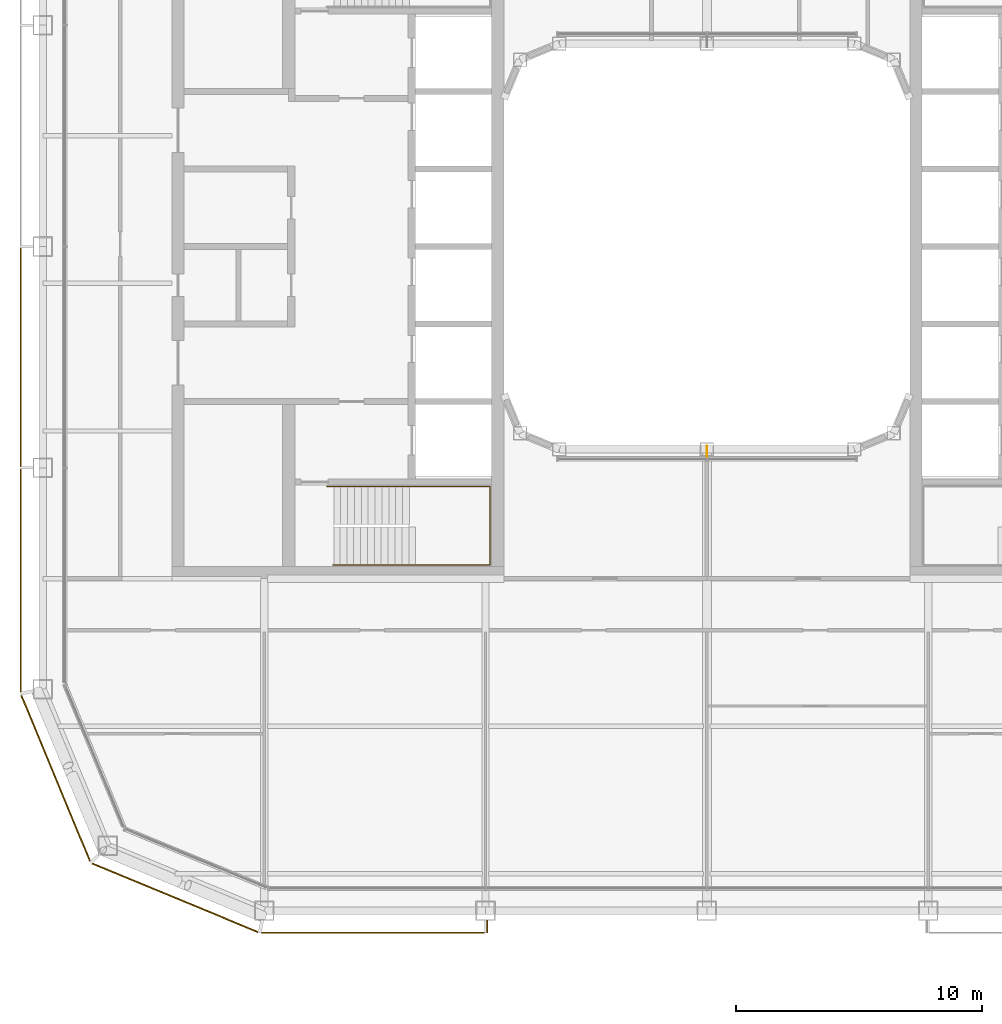
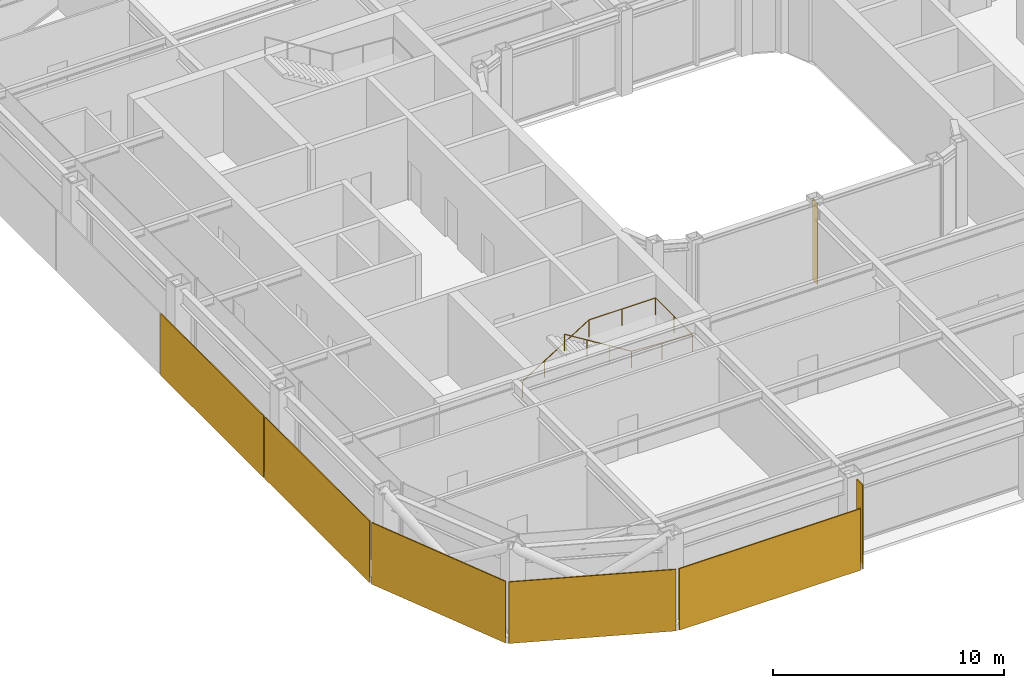
# One storey, part 19 of 23: 6 coverings, 1 railing, 1 shading device.
"""IFC4 building model written with IfcOpenShell, lengths in metres."""

from ifc_helpers import new_model, si_unit, direction, frame, origin, origin_2d, place, context, subcontext, project, spatial, rectangle, circle, extrude, material, layer, layer_set, type_object, element, save


model = new_model("IFC4")

# Units and contexts
model_context = context("Model", 3, precision=1e-05, world=origin(), true_north=direction((0.0, 1.0)))
body_context = subcontext(model_context, "Body", "Model", "MODEL_VIEW")
ifc_project = project(units=[si_unit("LENGTHUNIT", "METRE"), si_unit("AREAUNIT", "SQUARE_METRE"), si_unit("VOLUMEUNIT", "CUBIC_METRE"), si_unit("PLANEANGLEUNIT", "RADIAN"), si_unit("MASSUNIT", "GRAM", prefix="KILO")], contexts=[model_context])

# Site, building, storey
site_placement = place(None, origin())
site = spatial("IfcSite", under=ifc_project, at=site_placement, CompositionType="ELEMENT")
building_placement = place(site_placement, origin())
building = spatial("IfcBuilding", under=site, at=building_placement, Name="Siwar Civic Tower", CompositionType="ELEMENT")
storey_placement = place(building_placement, frame((0.0, 0.0, 273.699951171875)))
storey = spatial("IfcBuildingStorey", under=building, at=storey_placement, Name="L59", CompositionType="ELEMENT", Elevation=273.699951171875)

# Railing
ifc_material_1 = material(Name="Stainless steel", Category="steel")
railing_type = type_object("IfcRailingType", Name="CORE-STAIR-HANDRAIL", PredefinedType="HANDRAIL", material=ifc_material_1)
railing_placement = place(storey_placement, frame((-15.449951171875, -9.758056640625, 0.173095703125)))
element("IfcRailing", 1, at=railing_placement, inside=storey, type_object=railing_type, Name="Stair handrail ST2", PredefinedType="HANDRAIL", context=body_context, shape_type="SweptSolid", body=[
    extrude(circle(Radius=0.02001953125, at=origin_2d()), frame((0.0, 0.0, 0.8798828125), z_axis=(0.847063342986, 0.0, 0.531491950051), x_axis=(0.0, 1.0, 0.0)), (0.0, 0.0, 1.0), 3.90771484375),
    extrude(circle(Radius=0.02001953125, at=origin_2d()), frame((3.31005859375, 0.0, 2.956787109375), z_axis=(1.0, 0.0, 0.0), x_axis=(0.0, 1.0, 0.0)), (0.0, 0.0, 1.0), 3.331787109375),
    extrude(circle(Radius=0.02001953125, at=origin_2d()), frame((6.641845703125, 0.0, 2.956787109375), z_axis=(0.0, -1.0, 0.0), x_axis=(1.0, 0.0, 0.0)), (0.0, 0.0, 1.0), 3.183837890625),
    extrude(circle(Radius=0.02001953125, at=origin_2d()), frame((6.641845703125, -3.183837890625, 2.956787109375), z_axis=(-0.99837434197, 0.0, 0.056997134106), x_axis=(0.0, -1.0, 0.0)), (0.0, 0.0, 1.0), 3.036865234375),
    extrude(circle(Radius=0.02001953125, at=origin_2d()), frame((3.60986328125, -3.183837890625, 3.1298828125), z_axis=(-0.850606129759, 0.0, 0.525803396734), x_axis=(0.0, -1.0, 0.0)), (0.0, 0.0, 1.0), 3.949951171875),
    extrude(circle(Radius=0.02001953125, at=origin_2d()), origin(), (0.0, 0.0, 1.0), 0.85986328125),
    extrude(circle(Radius=0.02001953125, at=origin_2d()), frame((1.103271484375, 0.0, 0.6923828125)), (0.0, 0.0, 1.0), 0.85986328125),
    extrude(circle(Radius=0.02001953125, at=origin_2d()), frame((2.206787109375, 0.0, 1.384521484375)), (0.0, 0.0, 1.0), 0.85986328125),
    extrude(circle(Radius=0.02001953125, at=origin_2d()), frame((3.31005859375, 0.0, 2.076904296875)), (0.0, 0.0, 1.0), 0.85986328125),
    extrude(circle(Radius=0.02001953125, at=origin_2d()), frame((4.97607421875, 0.0, 2.076904296875)), (0.0, 0.0, 1.0), 0.85986328125),
    extrude(circle(Radius=0.02001953125, at=origin_2d()), frame((6.641845703125, 0.0, 2.076904296875)), (0.0, 0.0, 1.0), 0.85986328125),
    extrude(circle(Radius=0.02001953125, at=origin_2d()), frame((6.641845703125, -1.591796875, 2.076904296875)), (0.0, 0.0, 1.0), 0.85986328125),
    extrude(circle(Radius=0.02001953125, at=origin_2d()), frame((6.641845703125, -3.183837890625, 2.076904296875)), (0.0, 0.0, 1.0), 0.85986328125),
    extrude(circle(Radius=0.02001953125, at=origin_2d()), frame((5.1259765625, -3.183837890625, 2.16357421875)), (0.0, 0.0, 1.0), 0.85986328125),
    extrude(circle(Radius=0.02001953125, at=origin_2d()), frame((3.60986328125, -3.183837890625, 2.25)), (0.0, 0.0, 1.0), 0.85986328125),
    extrude(circle(Radius=0.02001953125, at=origin_2d()), frame((2.489990234375, -3.183837890625, 2.9423828125)), (0.0, 0.0, 1.0), 0.85986328125),
    extrude(circle(Radius=0.02001953125, at=origin_2d()), frame((1.369873046875, -3.183837890625, 3.634521484375)), (0.0, 0.0, 1.0), 0.85986328125),
    extrude(circle(Radius=0.02001953125, at=origin_2d()), frame((0.25, -3.183837890625, 4.326904296875)), (0.0, 0.0, 1.0), 0.85986328125),
])

# Shading device
ifc_material_2 = material(Name="Aluminium 6063-T6", Category="aluminium")
ifc_layer_1 = layer(ifc_material_2, 0.02001953125)
ifc_layer_set_1 = layer_set([ifc_layer_1], Name="Aluminium 6063-T6")
shading_device_type = type_object("IfcShadingDeviceType", Name="ENV-FIN", PredefinedType="JALOUSIE", material=ifc_layer_set_1)
shading_device_placement = place(storey_placement, frame((0.0, -8.320068359375, 0.0), z_axis=(0.0, 0.0, 1.0), x_axis=(1.0, 0.0, 0.0)))
element("IfcShadingDevice", 2, at=shading_device_placement, inside=storey, type_object=shading_device_type, Name="SUNSHADE fin WS 1", PredefinedType="JALOUSIE", context=body_context, shape_type="SweptSolid", body=[
    extrude(rectangle(XDim=0.02001953125, YDim=0.449951171875, at=origin_2d()), origin(), (0.0, 0.0, 1.0), 4.300048828125),
])

# Coverings
ifc_material_3 = material(Name="Perforated aluminium cassette, pale metal", Category="aluminium")
ifc_layer_2 = layer(ifc_material_3, 0.050048828125)
ifc_layer_set_2 = layer_set([ifc_layer_2], Name="Perforated aluminium cassette, pale metal")
covering_type_1 = type_object("IfcCoveringType", Name="ENV-OUTER SKIN OS-3", PredefinedType="CLADDING", material=ifc_layer_set_2)
covering_1_placement = place(storey_placement, frame((-27.89990234375, -4.5, -0.14990234375), z_axis=(0.0, 0.0, 1.0), x_axis=(0.0, -1.0, 0.0)))
element("IfcCovering", 3, at=covering_1_placement, inside=storey, type_object=covering_type_1, Name="OUTER SKIN OS-3 W 3", PredefinedType="CLADDING", context=body_context, shape_type="SweptSolid", body=[
    extrude(rectangle(XDim=8.89990234375, YDim=0.050048828125, at=origin_2d()), origin(), (0.0, 0.0, 1.0), 3.25),
])
covering_2_placement = place(storey_placement, frame((-27.89990234375, -13.57958984375, -0.14990234375), z_axis=(0.0, 0.0, 1.0), x_axis=(0.0, -1.0, 0.0)))
element("IfcCovering", 4, at=covering_2_placement, inside=storey, type_object=covering_type_1, Name="OUTER SKIN OS-3 W 4", PredefinedType="CLADDING", context=body_context, shape_type="SweptSolid", body=[
    extrude(rectangle(XDim=9.05908203125, YDim=0.050048828125, at=origin_2d()), origin(), (0.0, 0.0, 1.0), 3.25),
])
ifc_material_4 = material(Name="Perforated aluminium cassette, pale metal", Category="aluminium")
ifc_layer_3 = layer(ifc_material_4, 0.054931640625)
ifc_layer_set_3 = layer_set([ifc_layer_3], Name="Perforated aluminium cassette, pale metal")
covering_type_2 = type_object("IfcCoveringType", Name="ENV-OUTER SKIN OS-4", PredefinedType="CLADDING", material=ifc_layer_set_3)
covering_3_placement = place(storey_placement, frame((-13.57958984375, -27.89990234375, -0.14990234375), z_axis=(0.0, 0.0, 1.0), x_axis=(1.0, 0.0, 0.0)))
element("IfcCovering", 5, at=covering_3_placement, inside=storey, type_object=covering_type_2, Name="OUTER SKIN OS-4 S 1", PredefinedType="CLADDING", context=body_context, shape_type="SweptSolid", body=[
    extrude(rectangle(XDim=9.05908203125, YDim=0.054931640625, at=origin_2d()), origin(), (0.0, 0.0, 1.0), 3.25),
])
for number, where, z_axis, x_axis, name in (
    (6, (-26.476318359375, -21.615966796875, -0.14990234375), (0.0, 0.0, 1.0), (0.382683432365, -0.923879532511, 0.0), "OUTER SKIN OS-4 SW1 1"),
    (7, (-21.615966796875, -26.476318359375, -0.14990234375), (0.0, 0.0, 1.0), (0.923879532511, -0.382683432365, 0.0), "OUTER SKIN OS-4 SW2 1"),
):
    element("IfcCovering", number, at=place(storey_placement, frame(where, z_axis=z_axis, x_axis=x_axis)), inside=storey, type_object=covering_type_2, Name=name, PredefinedType="CLADDING", context=body_context, shape_type="SweptSolid", body=[
        extrude(rectangle(XDim=7.300048828125, YDim=0.054931640625, at=origin_2d()), origin(), (0.0, 0.0, 1.0), 3.25),
    ])
ifc_material_5 = material(Name="Perforated aluminium cassette, pale metal", Category="aluminium")
ifc_layer_4 = layer(ifc_material_5, 0.050048828125)
ifc_layer_set_4 = layer_set([ifc_layer_4], Name="Perforated aluminium cassette, pale metal")
covering_type_3 = type_object("IfcCoveringType", Name="ENV-PORTAL FRAME", PredefinedType="CLADDING", material=ifc_layer_set_4)
covering_4_placement = place(storey_placement, frame((-8.925048828125, -27.639892578125, -0.14990234375), z_axis=(0.0, 0.0, 1.0), x_axis=(1.0, 0.0, 0.0)))
element("IfcCovering", 8, at=covering_4_placement, inside=storey, type_object=covering_type_3, Name="PORTAL FRAME return plate S L59", PredefinedType="CLADDING", context=body_context, shape_type="SweptSolid", body=[
    extrude(rectangle(XDim=0.050048828125, YDim=0.52001953125, at=origin_2d()), origin(), (0.0, 0.0, 1.0), 4.449951171875),
])

save(model, "model.ifc")
